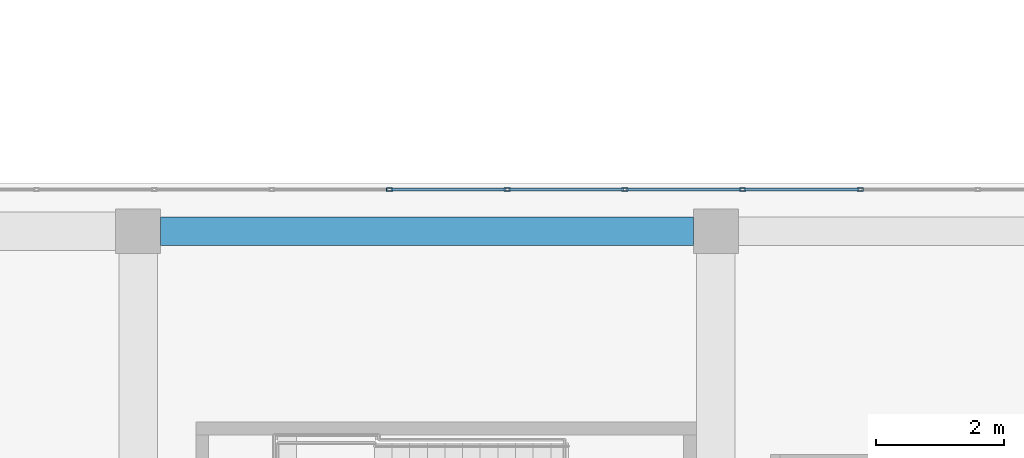
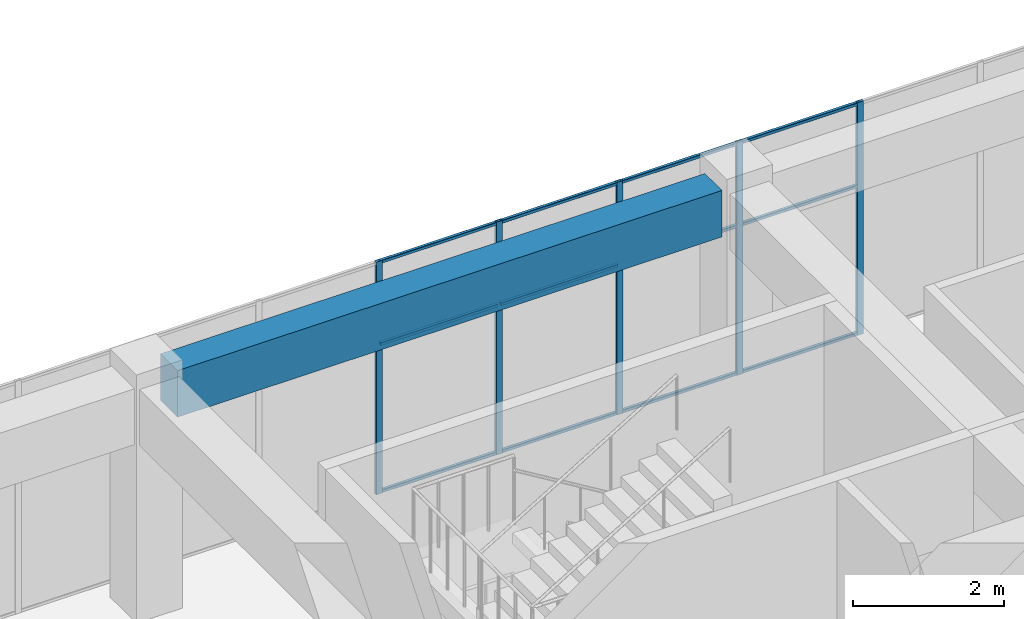
# One storey, part 29 of 43: 17 members, 1 beam, 1 element without a shape of its own.
"""IFC4 building model written with IfcOpenShell, lengths in metres."""

from ifc_helpers import new_model, si_unit, direction, frame, origin, origin_2d, place, context, subcontext, project, spatial, rectangle, hollow_rectangle, extrude, material, layer, layer_set, material_profile, profile_set, type_object, element, aggregate, save


model = new_model("IFC4")

# Units and contexts
model_context = context("Model", 3, precision=1e-05, world=origin(), true_north=direction((0.0, 1.0)))
body_context = subcontext(model_context, "Body", "Model", "MODEL_VIEW")
ifc_project = project(units=[si_unit("LENGTHUNIT", "METRE"), si_unit("AREAUNIT", "SQUARE_METRE"), si_unit("VOLUMEUNIT", "CUBIC_METRE"), si_unit("PLANEANGLEUNIT", "RADIAN"), si_unit("MASSUNIT", "GRAM", prefix="KILO")], contexts=[model_context])

# Site, building, storey
site_placement = place(None, origin())
site = spatial("IfcSite", under=ifc_project, at=site_placement, CompositionType="ELEMENT")
building_placement = place(site_placement, origin())
building = spatial("IfcBuilding", under=site, at=building_placement, Name="Tuart Plaza Theatre", CompositionType="ELEMENT")
storey_placement = place(building_placement, frame((0.0, 0.0, 33.5)))
storey = spatial("IfcBuildingStorey", under=building, at=storey_placement, Name="L08", CompositionType="ELEMENT", Elevation=33.5)

# Beam
ifc_material_1 = material(Name="Concrete N40 (40 MPa)", Category="concrete")
ifc_material_profile_1 = material_profile(ifc_material_1, rectangle(XDim=0.449951171875, YDim=0.75, at=origin_2d()), Name="BEAM 450x750 Concrete N40 (40 MPa)")
ifc_profile_set_1 = profile_set([ifc_material_profile_1], Name="Concrete N40 (40 MPa)")
beam_type = type_object("IfcBeamType", Name="BEAM 450x750 Concrete N40 (40 MPa)", PredefinedType="BEAM", material=ifc_profile_set_1)
beam_placement = place(storey_placement, frame((114.35009765625, 92.0, 3.375), z_axis=(1.0, 0.0, 0.0), x_axis=(0.0, 1.0, 0.0)))
element("IfcBeam", 1, at=beam_placement, inside=storey, type_object=beam_type, Name="RB263", PredefinedType="BEAM", context=body_context, shape_type="SweptSolid", body=[
    extrude(rectangle(XDim=0.449951171875, YDim=0.75, at=origin_2d()), origin(), (0.0, 0.0, 1.0), 8.2998046875),
])

# Curtain wall, members
ifc_material_2 = material(Name="Aluminium and glass", Category="aluminium")
ifc_layer = layer(ifc_material_2, 0.10009765625)
ifc_layer_set = layer_set([ifc_layer], Name="CURTAIN WALL 1800 module")
curtain_wall_type = type_object("IfcCurtainWallType", Name="CURTAIN WALL 1800 module", PredefinedType="NOTDEFINED", material=ifc_layer_set)
curtain_wall_placement = place(storey_placement, origin())
curtain_wall = element("IfcCurtainWall", 2, at=curtain_wall_placement, inside=storey, type_object=curtain_wall_type, Name="CW95", PredefinedType="NOTDEFINED")
ifc_material_3 = material(Name="Aluminium 6063-T5", Category="aluminium")
ifc_material_profile_2 = material_profile(ifc_material_3, hollow_rectangle(XDim=0.050048828125, YDim=0.10009765625, WallThickness=0.00390625, InnerFilletRadius=0.00390625, OuterFilletRadius=0.008056640625, at=origin_2d()), Name="RHS 100x50x4")
ifc_profile_set_2 = profile_set([ifc_material_profile_2], Name="Aluminium 6063-T5")
member_type_1 = type_object("IfcMemberType", Name="MULLION RHS 100x50x4", PredefinedType="MULLION", material=ifc_profile_set_2)
member_1_placement = place(storey_placement, frame((125.25, 92.64990234375, 0.0), z_axis=(0.0, 0.0, 1.0), x_axis=(0.0, -1.0, 0.0)))
member_1 = element("IfcMember", 3, at=member_1_placement, type_object=member_type_1, Name="CW95 mullion 10", PredefinedType="MULLION", context=body_context, shape_type="SweptSolid", body=[
    extrude(hollow_rectangle(XDim=0.050048828125, YDim=0.10009765625, WallThickness=0.00390625, InnerFilletRadius=0.00390625, OuterFilletRadius=0.008056640625, at=origin_2d()), origin(), (0.0, 0.0, 1.0), 3.75),
])
member_2_placement = place(storey_placement, frame((123.416748046875, 92.64990234375, 0.0), z_axis=(0.0, 0.0, 1.0), x_axis=(0.0, -1.0, 0.0)))
member_2 = element("IfcMember", 4, at=member_2_placement, type_object=member_type_1, Name="CW95 mullion 11", PredefinedType="MULLION", context=body_context, shape_type="SweptSolid", body=[
    extrude(hollow_rectangle(XDim=0.050048828125, YDim=0.10009765625, WallThickness=0.00390625, InnerFilletRadius=0.00390625, OuterFilletRadius=0.008056640625, at=origin_2d()), origin(), (0.0, 0.0, 1.0), 3.75),
])
member_3_placement = place(storey_placement, frame((121.583251953125, 92.64990234375, 0.0), z_axis=(0.0, 0.0, 1.0), x_axis=(0.0, -1.0, 0.0)))
member_3 = element("IfcMember", 5, at=member_3_placement, type_object=member_type_1, Name="CW95 mullion 12", PredefinedType="MULLION", context=body_context, shape_type="SweptSolid", body=[
    extrude(hollow_rectangle(XDim=0.050048828125, YDim=0.10009765625, WallThickness=0.00390625, InnerFilletRadius=0.00390625, OuterFilletRadius=0.008056640625, at=origin_2d()), origin(), (0.0, 0.0, 1.0), 3.75),
])
member_4_placement = place(storey_placement, frame((119.75, 92.64990234375, 0.0), z_axis=(0.0, 0.0, 1.0), x_axis=(0.0, -1.0, 0.0)))
member_4 = element("IfcMember", 6, at=member_4_placement, type_object=member_type_1, Name="CW95 mullion 13", PredefinedType="MULLION", context=body_context, shape_type="SweptSolid", body=[
    extrude(hollow_rectangle(XDim=0.050048828125, YDim=0.10009765625, WallThickness=0.00390625, InnerFilletRadius=0.00390625, OuterFilletRadius=0.008056640625, at=origin_2d()), origin(), (0.0, 0.0, 1.0), 3.75),
])
member_5_placement = place(storey_placement, frame((117.916748046875, 92.64990234375, 0.0), z_axis=(0.0, 0.0, 1.0), x_axis=(0.0, -1.0, 0.0)))
member_5 = element("IfcMember", 7, at=member_5_placement, type_object=member_type_1, Name="CW95 mullion 14", PredefinedType="MULLION", context=body_context, shape_type="SweptSolid", body=[
    extrude(hollow_rectangle(XDim=0.050048828125, YDim=0.10009765625, WallThickness=0.00390625, InnerFilletRadius=0.00390625, OuterFilletRadius=0.008056640625, at=origin_2d()), origin(), (0.0, 0.0, 1.0), 3.75),
])
ifc_material_4 = material(Name="Aluminium 6063-T5", Category="aluminium")
ifc_material_profile_3 = material_profile(ifc_material_4, hollow_rectangle(XDim=0.050048828125, YDim=0.050048828125, WallThickness=0.00390625, InnerFilletRadius=0.00390625, OuterFilletRadius=0.008056640625, at=origin_2d()), Name="RHS 50x50x4")
ifc_profile_set_3 = profile_set([ifc_material_profile_3], Name="Aluminium 6063-T5")
member_type_2 = type_object("IfcMemberType", Name="TRANSOM RHS 50x50x4", PredefinedType="USERDEFINED", material=ifc_profile_set_3)
member_6_placement = place(storey_placement, frame((125.22509765625, 92.64990234375, 0.02490234375), z_axis=(-1.0, 0.0, 0.0), x_axis=(0.0, -1.0, 0.0)))
member_6 = element("IfcMember", 8, at=member_6_placement, type_object=member_type_2, Name="CW95 transom 10.1", ObjectType="TRANSOM", PredefinedType="USERDEFINED", context=body_context, shape_type="SweptSolid", body=[
    extrude(hollow_rectangle(XDim=0.050048828125, YDim=0.050048828125, WallThickness=0.00390625, InnerFilletRadius=0.00390625, OuterFilletRadius=0.008056640625, at=origin_2d()), origin(), (0.0, 0.0, 1.0), 1.783447265625),
])
member_7_placement = place(storey_placement, frame((125.22509765625, 92.64990234375, 2.39990234375), z_axis=(-1.0, 0.0, 0.0), x_axis=(0.0, -1.0, 0.0)))
member_7 = element("IfcMember", 9, at=member_7_placement, type_object=member_type_2, Name="CW95 transom 10.2", ObjectType="TRANSOM", PredefinedType="USERDEFINED", context=body_context, shape_type="SweptSolid", body=[
    extrude(hollow_rectangle(XDim=0.050048828125, YDim=0.050048828125, WallThickness=0.00390625, InnerFilletRadius=0.00390625, OuterFilletRadius=0.008056640625, at=origin_2d()), origin(), (0.0, 0.0, 1.0), 1.783447265625),
])
member_8_placement = place(storey_placement, frame((125.22509765625, 92.64990234375, 3.72509765625), z_axis=(-1.0, 0.0, 0.0), x_axis=(0.0, -1.0, 0.0)))
member_8 = element("IfcMember", 10, at=member_8_placement, type_object=member_type_2, Name="CW95 transom 10.3", ObjectType="TRANSOM", PredefinedType="USERDEFINED", context=body_context, shape_type="SweptSolid", body=[
    extrude(hollow_rectangle(XDim=0.050048828125, YDim=0.050048828125, WallThickness=0.00390625, InnerFilletRadius=0.00390625, OuterFilletRadius=0.008056640625, at=origin_2d()), origin(), (0.0, 0.0, 1.0), 1.783447265625),
])
member_9_placement = place(storey_placement, frame((123.3916015625, 92.64990234375, 0.02490234375), z_axis=(-1.0, 0.0, 0.0), x_axis=(0.0, -1.0, 0.0)))
member_9 = element("IfcMember", 11, at=member_9_placement, type_object=member_type_2, Name="CW95 transom 11.1", ObjectType="TRANSOM", PredefinedType="USERDEFINED", context=body_context, shape_type="SweptSolid", body=[
    extrude(hollow_rectangle(XDim=0.050048828125, YDim=0.050048828125, WallThickness=0.00390625, InnerFilletRadius=0.00390625, OuterFilletRadius=0.008056640625, at=origin_2d()), origin(), (0.0, 0.0, 1.0), 1.783203125),
])
member_10_placement = place(storey_placement, frame((123.3916015625, 92.64990234375, 2.39990234375), z_axis=(-1.0, 0.0, 0.0), x_axis=(0.0, -1.0, 0.0)))
member_10 = element("IfcMember", 12, at=member_10_placement, type_object=member_type_2, Name="CW95 transom 11.2", ObjectType="TRANSOM", PredefinedType="USERDEFINED", context=body_context, shape_type="SweptSolid", body=[
    extrude(hollow_rectangle(XDim=0.050048828125, YDim=0.050048828125, WallThickness=0.00390625, InnerFilletRadius=0.00390625, OuterFilletRadius=0.008056640625, at=origin_2d()), origin(), (0.0, 0.0, 1.0), 1.783203125),
])
member_11_placement = place(storey_placement, frame((123.3916015625, 92.64990234375, 3.72509765625), z_axis=(-1.0, 0.0, 0.0), x_axis=(0.0, -1.0, 0.0)))
member_11 = element("IfcMember", 13, at=member_11_placement, type_object=member_type_2, Name="CW95 transom 11.3", ObjectType="TRANSOM", PredefinedType="USERDEFINED", context=body_context, shape_type="SweptSolid", body=[
    extrude(hollow_rectangle(XDim=0.050048828125, YDim=0.050048828125, WallThickness=0.00390625, InnerFilletRadius=0.00390625, OuterFilletRadius=0.008056640625, at=origin_2d()), origin(), (0.0, 0.0, 1.0), 1.783203125),
])
member_12_placement = place(storey_placement, frame((121.558349609375, 92.64990234375, 0.02490234375), z_axis=(-1.0, 0.0, 0.0), x_axis=(0.0, -1.0, 0.0)))
member_12 = element("IfcMember", 14, at=member_12_placement, type_object=member_type_2, Name="CW95 transom 12.1", ObjectType="TRANSOM", PredefinedType="USERDEFINED", context=body_context, shape_type="SweptSolid", body=[
    extrude(hollow_rectangle(XDim=0.050048828125, YDim=0.050048828125, WallThickness=0.00390625, InnerFilletRadius=0.00390625, OuterFilletRadius=0.008056640625, at=origin_2d()), origin(), (0.0, 0.0, 1.0), 1.783447265625),
])
member_13_placement = place(storey_placement, frame((121.558349609375, 92.64990234375, 2.39990234375), z_axis=(-1.0, 0.0, 0.0), x_axis=(0.0, -1.0, 0.0)))
member_13 = element("IfcMember", 15, at=member_13_placement, type_object=member_type_2, Name="CW95 transom 12.2", ObjectType="TRANSOM", PredefinedType="USERDEFINED", context=body_context, shape_type="SweptSolid", body=[
    extrude(hollow_rectangle(XDim=0.050048828125, YDim=0.050048828125, WallThickness=0.00390625, InnerFilletRadius=0.00390625, OuterFilletRadius=0.008056640625, at=origin_2d()), origin(), (0.0, 0.0, 1.0), 1.783447265625),
])
member_14_placement = place(storey_placement, frame((121.558349609375, 92.64990234375, 3.72509765625), z_axis=(-1.0, 0.0, 0.0), x_axis=(0.0, -1.0, 0.0)))
member_14 = element("IfcMember", 16, at=member_14_placement, type_object=member_type_2, Name="CW95 transom 12.3", ObjectType="TRANSOM", PredefinedType="USERDEFINED", context=body_context, shape_type="SweptSolid", body=[
    extrude(hollow_rectangle(XDim=0.050048828125, YDim=0.050048828125, WallThickness=0.00390625, InnerFilletRadius=0.00390625, OuterFilletRadius=0.008056640625, at=origin_2d()), origin(), (0.0, 0.0, 1.0), 1.783447265625),
])
member_15_placement = place(storey_placement, frame((119.72509765625, 92.64990234375, 0.02490234375), z_axis=(-1.0, 0.0, 0.0), x_axis=(0.0, -1.0, 0.0)))
member_15 = element("IfcMember", 17, at=member_15_placement, type_object=member_type_2, Name="CW95 transom 13.1", ObjectType="TRANSOM", PredefinedType="USERDEFINED", context=body_context, shape_type="SweptSolid", body=[
    extrude(hollow_rectangle(XDim=0.050048828125, YDim=0.050048828125, WallThickness=0.00390625, InnerFilletRadius=0.00390625, OuterFilletRadius=0.008056640625, at=origin_2d()), origin(), (0.0, 0.0, 1.0), 1.783447265625),
])
member_16_placement = place(storey_placement, frame((119.72509765625, 92.64990234375, 2.39990234375), z_axis=(-1.0, 0.0, 0.0), x_axis=(0.0, -1.0, 0.0)))
member_16 = element("IfcMember", 18, at=member_16_placement, type_object=member_type_2, Name="CW95 transom 13.2", ObjectType="TRANSOM", PredefinedType="USERDEFINED", context=body_context, shape_type="SweptSolid", body=[
    extrude(hollow_rectangle(XDim=0.050048828125, YDim=0.050048828125, WallThickness=0.00390625, InnerFilletRadius=0.00390625, OuterFilletRadius=0.008056640625, at=origin_2d()), origin(), (0.0, 0.0, 1.0), 1.783447265625),
])
member_17_placement = place(storey_placement, frame((119.72509765625, 92.64990234375, 3.72509765625), z_axis=(-1.0, 0.0, 0.0), x_axis=(0.0, -1.0, 0.0)))
member_17 = element("IfcMember", 19, at=member_17_placement, type_object=member_type_2, Name="CW95 transom 13.3", ObjectType="TRANSOM", PredefinedType="USERDEFINED", context=body_context, shape_type="SweptSolid", body=[
    extrude(hollow_rectangle(XDim=0.050048828125, YDim=0.050048828125, WallThickness=0.00390625, InnerFilletRadius=0.00390625, OuterFilletRadius=0.008056640625, at=origin_2d()), origin(), (0.0, 0.0, 1.0), 1.783447265625),
])
aggregate(curtain_wall, [member_1, member_2, member_3, member_4, member_5, member_6, member_7, member_8, member_9, member_10, member_11, member_12, member_13, member_14, member_15, member_16, member_17])

save(model, "model.ifc")
